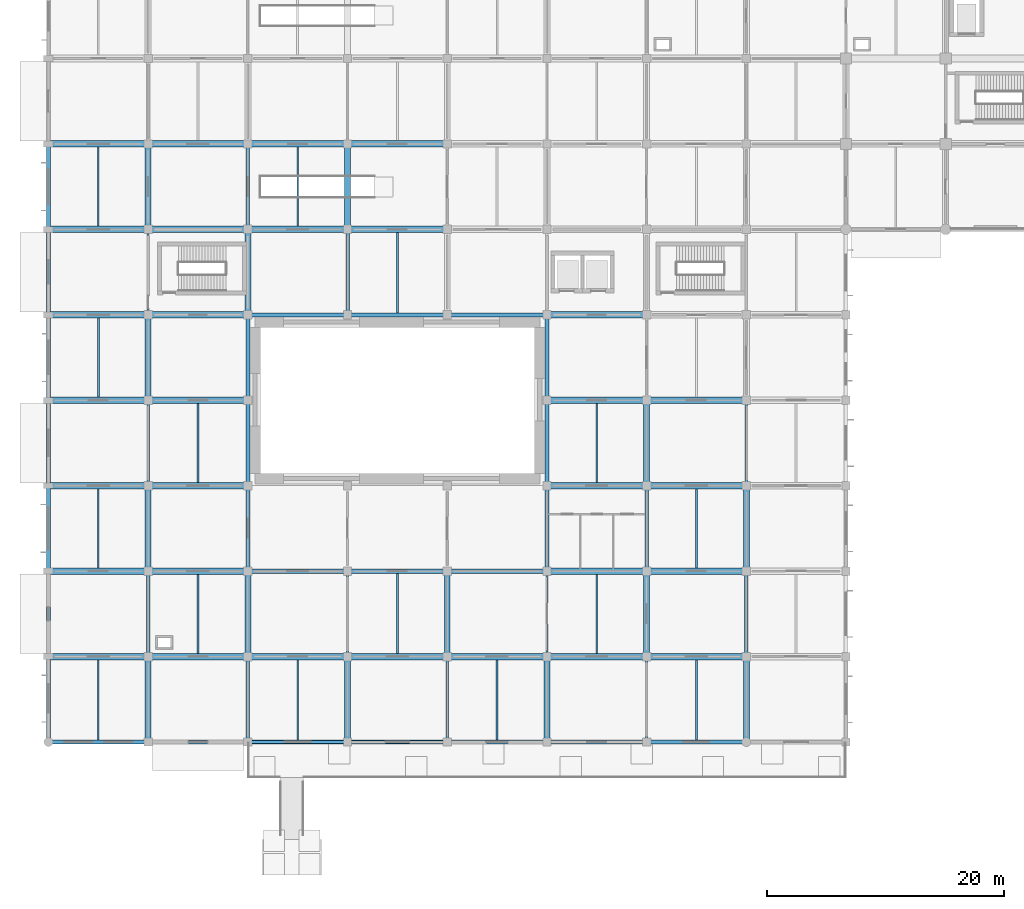
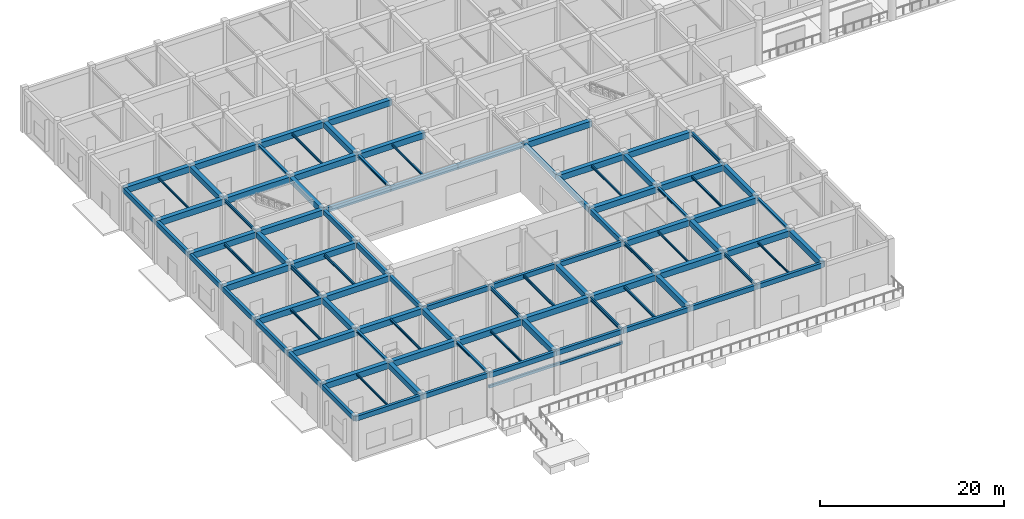
# One storey, part 3 of 39: 100 beams.
"""IFC4 building model written with IfcOpenShell, lengths in metres."""

from ifc_helpers import new_model, si_unit, derived_unit, direction, frame, origin, origin_2d, place, context, subcontext, project, spatial, rectangle, i_section, extrude, material, material_profile, profile_set, type_object, element, save


model = new_model("IFC4")

# Units and contexts
model_context = context("Model", 3, precision=1e-05, world=origin(), true_north=direction((0.0, 1.0)))
body_context = subcontext(model_context, "Body", "Model", "MODEL_VIEW")
ifc_project = project(units=[si_unit("LENGTHUNIT", "METRE"), si_unit("AREAUNIT", "SQUARE_METRE"), si_unit("VOLUMEUNIT", "CUBIC_METRE"), si_unit("PLANEANGLEUNIT", "RADIAN"), si_unit("MASSUNIT", "GRAM", prefix="KILO"), derived_unit("THERMALTRANSMITTANCEUNIT", [(si_unit("MASSUNIT", "GRAM", prefix="KILO"), 1), (si_unit("TIMEUNIT", "SECOND"), -3), (si_unit("THERMODYNAMICTEMPERATUREUNIT", "KELVIN"), -1)])], contexts=[model_context])

# Site, building, storey
site_placement = place(None, origin())
site = spatial("IfcSite", under=ifc_project, at=site_placement, CompositionType="ELEMENT")
building_placement = place(site_placement, origin())
building = spatial("IfcBuilding", under=site, at=building_placement, Name="Veldstrom Oceanarium and Marine Research Institute", CompositionType="ELEMENT")
storey_placement = place(building_placement, origin())
storey = spatial("IfcBuildingStorey", under=building, at=storey_placement, Name="L00", CompositionType="ELEMENT", Elevation=0.0)

# Beams
ifc_material_1 = material(Name="Concrete C40/50", Category="concrete")
ifc_material_profile_1 = material_profile(ifc_material_1, rectangle(XDim=0.550048828125, YDim=0.800048828125, at=origin_2d()), Name="RC-BM-550x800")
ifc_profile_set_1 = profile_set([ifc_material_profile_1], Name="Concrete C40/50")
beam_type_1 = type_object("IfcBeamType", Name="STR-BM-B02", PredefinedType="BEAM", material=ifc_profile_set_1)
for number, where, z_axis, x_axis, name in (
    (1, (0.0, 7.199951171875, 5.3701171875), (1.0, 0.0, 0.0), (0.0, 1.0, 0.0), "Primary Beam B02 L00-0716"),
    (2, (0.0, 14.39990234375, 5.27001953125), (1.0, 0.0, 0.0), (0.0, 1.0, 0.0), "Primary Beam B02 L00-0717"),
    (3, (0.0, 21.60009765625, 5.27001953125), (1.0, 0.0, 0.0), (0.0, 1.0, 0.0), "Primary Beam B02 L00-0718"),
    (4, (0.0, 28.800048828125, 5.27001953125), (1.0, 0.0, 0.0), (0.0, 1.0, 0.0), "Primary Beam B02 L00-0719"),
    (5, (0.0, 36.0, 5.27001953125), (1.0, 0.0, 0.0), (0.0, 1.0, 0.0), "Primary Beam B02 L00-0720"),
    (6, (0.0, 43.199951171875, 5.27001953125), (1.0, 0.0, 0.0), (0.0, 1.0, 0.0), "Primary Beam B02 L00-0721"),
    (7, (0.0, 50.39990234375, 5.27001953125), (1.0, 0.0, 0.0), (0.0, 1.0, 0.0), "Primary Beam B02 L00-0722"),
):
    element("IfcBeam", number, at=place(storey_placement, frame(where, z_axis=z_axis, x_axis=x_axis)), inside=storey, type_object=beam_type_1, Name=name, PredefinedType="BEAM", context=body_context, shape_type="SweptSolid", body=[
        extrude(rectangle(XDim=0.550048828125, YDim=0.800048828125, at=origin_2d()), origin(), (0.0, 0.0, 1.0), 8.39990234375),
    ])
for number, where, z_axis, x_axis, name in (
    (8, (8.39990234375, 7.199951171875, 5.3701171875), (1.0, 0.0, 0.0), (0.0, 1.0, 0.0), "Primary Beam B02 L00-0727"),
    (9, (8.39990234375, 14.39990234375, 5.27001953125), (1.0, 0.0, 0.0), (0.0, 1.0, 0.0), "Primary Beam B02 L00-0728"),
    (10, (8.39990234375, 21.60009765625, 5.27001953125), (1.0, 0.0, 0.0), (0.0, 1.0, 0.0), "Primary Beam B02 L00-0729"),
    (11, (8.39990234375, 28.800048828125, 5.27001953125), (1.0, 0.0, 0.0), (0.0, 1.0, 0.0), "Primary Beam B02 L00-0730"),
    (12, (8.39990234375, 36.0, 5.27001953125), (1.0, 0.0, 0.0), (0.0, 1.0, 0.0), "Primary Beam B02 L00-0731"),
    (13, (8.39990234375, 43.199951171875, 5.27001953125), (1.0, 0.0, 0.0), (0.0, 1.0, 0.0), "Primary Beam B02 L00-0732"),
    (14, (8.39990234375, 50.39990234375, 5.27001953125), (1.0, 0.0, 0.0), (0.0, 1.0, 0.0), "Primary Beam B02 L00-0733"),
):
    element("IfcBeam", number, at=place(storey_placement, frame(where, z_axis=z_axis, x_axis=x_axis)), inside=storey, type_object=beam_type_1, Name=name, PredefinedType="BEAM", context=body_context, shape_type="SweptSolid", body=[
        extrude(rectangle(XDim=0.550048828125, YDim=0.800048828125, at=origin_2d()), origin(), (0.0, 0.0, 1.0), 8.400146484375),
    ])
for number, where, z_axis, x_axis, name in (
    (15, (16.800048828125, 7.199951171875, 5.27001953125), (1.0, 0.0, 0.0), (0.0, 1.0, 0.0), "Primary Beam B02 L00-0738"),
    (16, (16.800048828125, 43.199951171875, 5.27001953125), (1.0, 0.0, 0.0), (0.0, 1.0, 0.0), "Primary Beam B02 L00-0741"),
    (17, (16.800048828125, 50.39990234375, 5.27001953125), (1.0, 0.0, 0.0), (0.0, 1.0, 0.0), "Primary Beam B02 L00-0742"),
):
    element("IfcBeam", number, at=place(storey_placement, frame(where, z_axis=z_axis, x_axis=x_axis)), inside=storey, type_object=beam_type_1, Name=name, PredefinedType="BEAM", context=body_context, shape_type="SweptSolid", body=[
        extrude(rectangle(XDim=0.550048828125, YDim=0.800048828125, at=origin_2d()), origin(), (0.0, 0.0, 1.0), 8.39990234375),
    ])
for number, where, z_axis, x_axis, name in (
    (18, (25.199951171875, 7.199951171875, 5.27001953125), (1.0, 0.0, 0.0), (0.0, 1.0, 0.0), "Primary Beam B02 L00-0747"),
    (19, (25.199951171875, 43.199951171875, 5.27001953125), (1.0, 0.0, 0.0), (0.0, 1.0, 0.0), "Primary Beam B02 L00-0750"),
    (20, (25.199951171875, 50.39990234375, 5.27001953125), (1.0, 0.0, 0.0), (0.0, 1.0, 0.0), "Primary Beam B02 L00-0751"),
):
    element("IfcBeam", number, at=place(storey_placement, frame(where, z_axis=z_axis, x_axis=x_axis)), inside=storey, type_object=beam_type_1, Name=name, PredefinedType="BEAM", context=body_context, shape_type="SweptSolid", body=[
        extrude(rectangle(XDim=0.550048828125, YDim=0.800048828125, at=origin_2d()), origin(), (0.0, 0.0, 1.0), 8.400146484375),
    ])
for number, where, z_axis, x_axis, name in (
    (21, (33.60009765625, 7.199951171875, 5.27001953125), (1.0, 0.0, 0.0), (0.0, 1.0, 0.0), "Primary Beam B02 L00-0756"),
    (22, (42.0, 7.199951171875, 5.27001953125), (1.0, 0.0, 0.0), (0.0, 1.0, 0.0), "Primary Beam B02 L00-0765"),
    (23, (42.0, 14.39990234375, 5.27001953125), (1.0, 0.0, 0.0), (0.0, 1.0, 0.0), "Primary Beam B02 L00-0766"),
    (24, (42.0, 21.60009765625, 5.27001953125), (1.0, 0.0, 0.0), (0.0, 1.0, 0.0), "Primary Beam B02 L00-0767"),
    (25, (42.0, 28.800048828125, 5.27001953125), (1.0, 0.0, 0.0), (0.0, 1.0, 0.0), "Primary Beam B02 L00-0768"),
    (26, (42.0, 36.0, 5.27001953125), (1.0, 0.0, 0.0), (0.0, 1.0, 0.0), "Primary Beam B02 L00-0769"),
):
    element("IfcBeam", number, at=place(storey_placement, frame(where, z_axis=z_axis, x_axis=x_axis)), inside=storey, type_object=beam_type_1, Name=name, PredefinedType="BEAM", context=body_context, shape_type="SweptSolid", body=[
        extrude(rectangle(XDim=0.550048828125, YDim=0.800048828125, at=origin_2d()), origin(), (0.0, 0.0, 1.0), 8.39990234375),
    ])
for number, where, z_axis, x_axis, name in (
    (27, (50.39990234375, 7.199951171875, 5.27001953125), (1.0, 0.0, 0.0), (0.0, 1.0, 0.0), "Primary Beam B02 L00-0776"),
    (28, (50.39990234375, 14.39990234375, 5.27001953125), (1.0, 0.0, 0.0), (0.0, 1.0, 0.0), "Primary Beam B02 L00-0777"),
    (29, (50.39990234375, 21.60009765625, 5.27001953125), (1.0, 0.0, 0.0), (0.0, 1.0, 0.0), "Primary Beam B02 L00-0778"),
    (30, (50.39990234375, 28.800048828125, 5.27001953125), (1.0, 0.0, 0.0), (0.0, 1.0, 0.0), "Primary Beam B02 L00-0779"),
):
    element("IfcBeam", number, at=place(storey_placement, frame(where, z_axis=z_axis, x_axis=x_axis)), inside=storey, type_object=beam_type_1, Name=name, PredefinedType="BEAM", context=body_context, shape_type="SweptSolid", body=[
        extrude(rectangle(XDim=0.550048828125, YDim=0.800048828125, at=origin_2d()), origin(), (0.0, 0.0, 1.0), 8.400146484375),
    ])
ifc_material_2 = material(Name="Concrete C40/50", Category="concrete")
ifc_material_profile_2 = material_profile(ifc_material_2, rectangle(XDim=0.5, YDim=0.75, at=origin_2d()), Name="RC-BM-500x750")
ifc_profile_set_2 = profile_set([ifc_material_profile_2], Name="Concrete C40/50")
beam_type_2 = type_object("IfcBeamType", Name="STR-BM-B03", PredefinedType="BEAM", material=ifc_profile_set_2)
beam_1_placement = place(storey_placement, frame((8.39990234375, 0.0, 5.39501953125), z_axis=(0.0, 1.0, 0.0), x_axis=(-1.0, 0.0, 0.0)))
element("IfcBeam", 31, at=beam_1_placement, inside=storey, type_object=beam_type_2, Name="Primary Beam B03 L00-0901", PredefinedType="BEAM", context=body_context, shape_type="SweptSolid", body=[
    extrude(rectangle(XDim=0.5, YDim=0.75, at=origin_2d()), origin(), (0.0, 0.0, 1.0), 7.199951171875),
])
beam_2_placement = place(storey_placement, frame((8.39990234375, 14.39990234375, 5.294921875), z_axis=(0.0, 1.0, 0.0), x_axis=(-1.0, 0.0, 0.0)))
element("IfcBeam", 32, at=beam_2_placement, inside=storey, type_object=beam_type_2, Name="Primary Beam B03 L00-0903", PredefinedType="BEAM", context=body_context, shape_type="SweptSolid", body=[
    extrude(rectangle(XDim=0.5, YDim=0.75, at=origin_2d()), origin(), (0.0, 0.0, 1.0), 7.2001953125),
])
for number, where, z_axis, x_axis, name in (
    (33, (8.39990234375, 28.800048828125, 5.294921875), (0.0, 1.0, 0.0), (-1.0, 0.0, 0.0), "Primary Beam B03 L00-0905"),
    (34, (8.39990234375, 43.199951171875, 5.294921875), (0.0, 1.0, 0.0), (-1.0, 0.0, 0.0), "Primary Beam B03 L00-0907"),
    (35, (16.800048828125, 7.199951171875, 5.294921875), (0.0, 1.0, 0.0), (-1.0, 0.0, 0.0), "Primary Beam B03 L00-0912"),
    (36, (16.800048828125, 36.0, 5.294921875), (0.0, 1.0, 0.0), (-1.0, 0.0, 0.0), "Primary Beam B03 L00-0916"),
    (37, (25.199951171875, 0.0, 5.294921875), (0.0, 1.0, 0.0), (-1.0, 0.0, 0.0), "Primary Beam B03 L00-0921"),
    (38, (25.199951171875, 43.199951171875, 5.294921875), (0.0, 1.0, 0.0), (-1.0, 0.0, 0.0), "Primary Beam B03 L00-0924"),
    (39, (33.60009765625, 7.199951171875, 5.294921875), (0.0, 1.0, 0.0), (-1.0, 0.0, 0.0), "Primary Beam B03 L00-0929"),
    (40, (42.0, 0.0, 5.294921875), (0.0, 1.0, 0.0), (-1.0, 0.0, 0.0), "Primary Beam B03 L00-0935"),
    (41, (50.39990234375, 7.199951171875, 5.294921875), (0.0, 1.0, 0.0), (-1.0, 0.0, 0.0), "Primary Beam B03 L00-0946"),
    (42, (50.39990234375, 21.60009765625, 5.294921875), (0.0, 1.0, 0.0), (-1.0, 0.0, 0.0), "Primary Beam B03 L00-0948"),
    (43, (58.800048828125, 0.0, 5.294921875), (0.0, 1.0, 0.0), (-1.0, 0.0, 0.0), "Primary Beam B03 L00-0955"),
):
    element("IfcBeam", number, at=place(storey_placement, frame(where, z_axis=z_axis, x_axis=x_axis)), inside=storey, type_object=beam_type_2, Name=name, PredefinedType="BEAM", context=body_context, shape_type="SweptSolid", body=[
        extrude(rectangle(XDim=0.5, YDim=0.75, at=origin_2d()), origin(), (0.0, 0.0, 1.0), 7.199951171875),
    ])
beam_3_placement = place(storey_placement, frame((58.800048828125, 14.39990234375, 5.294921875), z_axis=(0.0, 1.0, 0.0), x_axis=(-1.0, 0.0, 0.0)))
element("IfcBeam", 44, at=beam_3_placement, inside=storey, type_object=beam_type_2, Name="Primary Beam B03 L00-0957", PredefinedType="BEAM", context=body_context, shape_type="SweptSolid", body=[
    extrude(rectangle(XDim=0.5, YDim=0.75, at=origin_2d()), origin(), (0.0, 0.0, 1.0), 7.2001953125),
])
ifc_material_3 = material(Name="Steel S355JR", Category="steel")
ifc_material_profile_3 = material_profile(ifc_material_3, i_section(OverallWidth=0.300048828125, OverallDepth=0.2900390625, WebThickness=0.008544921875, FlangeThickness=0.013916015625, FilletRadius=0.027099609375, at=origin_2d()), Name="HEA 300")
ifc_profile_set_3 = profile_set([ifc_material_profile_3], Name="Steel S355JR")
beam_type_3 = type_object("IfcBeamType", Name="STR-BM-SB10", PredefinedType="BEAM", material=ifc_profile_set_3)
for number, where, z_axis, x_axis, name in (
    (45, (8.39990234375, 7.199951171875, 5.625), (0.0, 1.0, 0.0), (-1.0, 0.0, 0.0), "Steel Tie Beam SB10 L00-0902"),
    (46, (16.800048828125, 0.0, 5.52490234375), (0.0, 1.0, 0.0), (-1.0, 0.0, 0.0), "Steel Tie Beam SB10 L00-0911"),
    (47, (16.800048828125, 43.199951171875, 5.52490234375), (0.0, 1.0, 0.0), (-1.0, 0.0, 0.0), "Steel Tie Beam SB10 L00-0917"),
    (48, (25.199951171875, 36.0, 5.52490234375), (0.0, 1.0, 0.0), (-1.0, 0.0, 0.0), "Steel Tie Beam SB10 L00-0923"),
):
    element("IfcBeam", number, at=place(storey_placement, frame(where, z_axis=z_axis, x_axis=x_axis)), inside=storey, type_object=beam_type_3, Name=name, PredefinedType="BEAM", context=body_context, shape_type="SweptSolid", body=[
        extrude(i_section(OverallWidth=0.300048828125, OverallDepth=0.2900390625, WebThickness=0.008544921875, FlangeThickness=0.013916015625, FilletRadius=0.027099609375, at=origin_2d()), origin(), (0.0, 0.0, 1.0), 7.199951171875),
    ])
beam_4_placement = place(storey_placement, frame((50.39990234375, 14.39990234375, 5.52490234375), z_axis=(0.0, 1.0, 0.0), x_axis=(-1.0, 0.0, 0.0)))
element("IfcBeam", 49, at=beam_4_placement, inside=storey, type_object=beam_type_3, Name="Steel Tie Beam SB10 L00-0947", PredefinedType="BEAM", context=body_context, shape_type="SweptSolid", body=[
    extrude(i_section(OverallWidth=0.300048828125, OverallDepth=0.2900390625, WebThickness=0.008544921875, FlangeThickness=0.013916015625, FilletRadius=0.027099609375, at=origin_2d()), origin(), (0.0, 0.0, 1.0), 7.2001953125),
])
beam_5_placement = place(storey_placement, frame((58.800048828125, 7.199951171875, 5.52490234375), z_axis=(0.0, 1.0, 0.0), x_axis=(-1.0, 0.0, 0.0)))
element("IfcBeam", 50, at=beam_5_placement, inside=storey, type_object=beam_type_3, Name="Steel Tie Beam SB10 L00-0956", PredefinedType="BEAM", context=body_context, shape_type="SweptSolid", body=[
    extrude(i_section(OverallWidth=0.300048828125, OverallDepth=0.2900390625, WebThickness=0.008544921875, FlangeThickness=0.013916015625, FilletRadius=0.027099609375, at=origin_2d()), origin(), (0.0, 0.0, 1.0), 7.199951171875),
])
ifc_material_4 = material(Name="Steel S355JR", Category="steel")
ifc_material_profile_4 = material_profile(ifc_material_4, i_section(OverallWidth=0.199951171875, OverallDepth=0.5, WebThickness=0.01025390625, FlangeThickness=0.01611328125, FilletRadius=0.02099609375, at=origin_2d()), Name="IPE 500")
ifc_profile_set_4 = profile_set([ifc_material_profile_4], Name="Steel S355JR")
beam_type_4 = type_object("IfcBeamType", Name="STR-BM-SB6", PredefinedType="BEAM", material=ifc_profile_set_4)
for number, where, z_axis, x_axis, name in (
    (51, (8.39990234375, 21.60009765625, 5.419921875), (0.0, 1.0, 0.0), (-1.0, 0.0, 0.0), "Steel Tie Beam SB6 L00-0904"),
    (52, (25.199951171875, 7.199951171875, 5.419921875), (0.0, 1.0, 0.0), (-1.0, 0.0, 0.0), "Steel Tie Beam SB6 L00-0922"),
    (53, (33.60009765625, 0.0, 5.419921875), (0.0, 1.0, 0.0), (-1.0, 0.0, 0.0), "Steel Tie Beam SB6 L00-0928"),
    (54, (58.800048828125, 21.60009765625, 5.419921875), (0.0, 1.0, 0.0), (-1.0, 0.0, 0.0), "Steel Tie Beam SB6 L00-0958"),
):
    element("IfcBeam", number, at=place(storey_placement, frame(where, z_axis=z_axis, x_axis=x_axis)), inside=storey, type_object=beam_type_4, Name=name, PredefinedType="BEAM", context=body_context, shape_type="SweptSolid", body=[
        extrude(i_section(OverallWidth=0.199951171875, OverallDepth=0.5, WebThickness=0.01025390625, FlangeThickness=0.01611328125, FilletRadius=0.02099609375, at=origin_2d()), origin(), (0.0, 0.0, 1.0), 7.199951171875),
    ])
ifc_material_5 = material(Name="Steel S355JR", Category="steel")
ifc_material_profile_5 = material_profile(ifc_material_5, i_section(OverallWidth=0.179931640625, OverallDepth=0.39990234375, WebThickness=0.008544921875, FlangeThickness=0.013427734375, FilletRadius=0.02099609375, at=origin_2d()), Name="IPE 400")
ifc_profile_set_5 = profile_set([ifc_material_profile_5], Name="Steel S355JR")
beam_type_5 = type_object("IfcBeamType", Name="STR-BM-SB8", PredefinedType="BEAM", material=ifc_profile_set_5)
for number, where, z_axis, x_axis, name in (
    (55, (8.39990234375, 36.0, 5.469970703125), (0.0, 1.0, 0.0), (-1.0, 0.0, 0.0), "Steel Tie Beam SB8 L00-0906"),
    (56, (42.0, 7.199951171875, 5.469970703125), (0.0, 1.0, 0.0), (-1.0, 0.0, 0.0), "Steel Tie Beam SB8 L00-0936"),
    (57, (50.39990234375, 0.0, 5.469970703125), (0.0, 1.0, 0.0), (-1.0, 0.0, 0.0), "Steel Tie Beam SB8 L00-0945"),
):
    element("IfcBeam", number, at=place(storey_placement, frame(where, z_axis=z_axis, x_axis=x_axis)), inside=storey, type_object=beam_type_5, Name=name, PredefinedType="BEAM", context=body_context, shape_type="SweptSolid", body=[
        extrude(i_section(OverallWidth=0.179931640625, OverallDepth=0.39990234375, WebThickness=0.008544921875, FlangeThickness=0.013427734375, FilletRadius=0.02099609375, at=origin_2d()), origin(), (0.0, 0.0, 1.0), 7.199951171875),
    ])
ifc_material_6 = material(Name="Steel S355JR", Category="steel")
ifc_material_profile_6 = material_profile(ifc_material_6, i_section(OverallWidth=0.169921875, OverallDepth=0.360107421875, WebThickness=0.008056640625, FlangeThickness=0.0126953125, FilletRadius=0.01806640625, at=origin_2d()), Name="IPE 360")
ifc_profile_set_6 = profile_set([ifc_material_profile_6], Name="Steel S355JR")
beam_type_6 = type_object("IfcBeamType", Name="STR-JST-SJ1", PredefinedType="JOIST", material=ifc_profile_set_6)
beam_6_placement = place(storey_placement, frame((4.199951171875, 29.074951171875, 5.489990234375), z_axis=(0.0, 1.0, 0.0), x_axis=(-1.0, 0.0, 0.0)))
element("IfcBeam", 58, at=beam_6_placement, inside=storey, type_object=beam_type_6, Name="Secondary Joist SJ1 L00-1065", PredefinedType="JOIST", context=body_context, shape_type="SweptSolid", body=[
    extrude(i_section(OverallWidth=0.169921875, OverallDepth=0.360107421875, WebThickness=0.008056640625, FlangeThickness=0.0126953125, FilletRadius=0.01806640625, at=origin_2d()), origin(), (0.0, 0.0, 1.0), 6.650146484375),
])
beam_7_placement = place(storey_placement, frame((12.60009765625, 21.875, 5.489990234375), z_axis=(0.0, 1.0, 0.0), x_axis=(-1.0, 0.0, 0.0)))
element("IfcBeam", 59, at=beam_7_placement, inside=storey, type_object=beam_type_6, Name="Secondary Joist SJ1 L00-1069", PredefinedType="JOIST", context=body_context, shape_type="SweptSolid", body=[
    extrude(i_section(OverallWidth=0.169921875, OverallDepth=0.360107421875, WebThickness=0.008056640625, FlangeThickness=0.0126953125, FilletRadius=0.01806640625, at=origin_2d()), origin(), (0.0, 0.0, 1.0), 6.64990234375),
])
for number, where, z_axis, x_axis, name in (
    (60, (29.39990234375, 7.47509765625, 5.489990234375), (0.0, 1.0, 0.0), (-1.0, 0.0, 0.0), "Secondary Joist SJ1 L00-1075"),
    (61, (37.800048828125, 0.175048828125, 5.489990234375), (0.0, 1.0, 0.0), (-1.0, 0.0, 0.0), "Secondary Joist SJ1 L00-1079"),
):
    element("IfcBeam", number, at=place(storey_placement, frame(where, z_axis=z_axis, x_axis=x_axis)), inside=storey, type_object=beam_type_6, Name=name, PredefinedType="JOIST", context=body_context, shape_type="SweptSolid", body=[
        extrude(i_section(OverallWidth=0.169921875, OverallDepth=0.360107421875, WebThickness=0.008056640625, FlangeThickness=0.0126953125, FilletRadius=0.01806640625, at=origin_2d()), origin(), (0.0, 0.0, 1.0), 6.75),
    ])
ifc_material_7 = material(Name="Steel S355JR", Category="steel")
ifc_material_profile_7 = material_profile(ifc_material_7, i_section(OverallWidth=0.14990234375, OverallDepth=0.300048828125, WebThickness=0.007080078125, FlangeThickness=0.0107421875, FilletRadius=0.014892578125, at=origin_2d()), Name="IPE 300")
ifc_profile_set_7 = profile_set([ifc_material_profile_7], Name="Steel S355JR")
beam_type_7 = type_object("IfcBeamType", Name="STR-JST-SJ2", PredefinedType="JOIST", material=ifc_profile_set_7)
for number, where, z_axis, x_axis, name in (
    (62, (4.199951171875, 14.675048828125, 5.52001953125), (0.0, 1.0, 0.0), (-1.0, 0.0, 0.0), "Secondary Joist SJ2 L00-1064"),
    (63, (12.60009765625, 7.47509765625, 5.6201171875), (0.0, 1.0, 0.0), (-1.0, 0.0, 0.0), "Secondary Joist SJ2 L00-1068"),
):
    element("IfcBeam", number, at=place(storey_placement, frame(where, z_axis=z_axis, x_axis=x_axis)), inside=storey, type_object=beam_type_7, Name=name, PredefinedType="JOIST", context=body_context, shape_type="SweptSolid", body=[
        extrude(i_section(OverallWidth=0.14990234375, OverallDepth=0.300048828125, WebThickness=0.007080078125, FlangeThickness=0.0107421875, FilletRadius=0.014892578125, at=origin_2d()), origin(), (0.0, 0.0, 1.0), 6.64990234375),
    ])
beam_8_placement = place(storey_placement, frame((21.0, 0.175048828125, 5.52001953125), z_axis=(0.0, 1.0, 0.0), x_axis=(-1.0, 0.0, 0.0)))
element("IfcBeam", 64, at=beam_8_placement, inside=storey, type_object=beam_type_7, Name="Secondary Joist SJ2 L00-1072", PredefinedType="JOIST", context=body_context, shape_type="SweptSolid", body=[
    extrude(i_section(OverallWidth=0.14990234375, OverallDepth=0.300048828125, WebThickness=0.007080078125, FlangeThickness=0.0107421875, FilletRadius=0.014892578125, at=origin_2d()), origin(), (0.0, 0.0, 1.0), 6.75),
])
beam_9_placement = place(storey_placement, frame((21.0, 43.47509765625, 5.52001953125), z_axis=(0.0, 1.0, 0.0), x_axis=(-1.0, 0.0, 0.0)))
element("IfcBeam", 65, at=beam_9_placement, inside=storey, type_object=beam_type_7, Name="Secondary Joist SJ2 L00-1073", PredefinedType="JOIST", context=body_context, shape_type="SweptSolid", body=[
    extrude(i_section(OverallWidth=0.14990234375, OverallDepth=0.300048828125, WebThickness=0.007080078125, FlangeThickness=0.0107421875, FilletRadius=0.014892578125, at=origin_2d()), origin(), (0.0, 0.0, 1.0), 6.64990234375),
])
beam_10_placement = place(storey_placement, frame((29.39990234375, 36.175048828125, 5.52001953125), z_axis=(0.0, 1.0, 0.0), x_axis=(-1.0, 0.0, 0.0)))
element("IfcBeam", 66, at=beam_10_placement, inside=storey, type_object=beam_type_7, Name="Secondary Joist SJ2 L00-1076", PredefinedType="JOIST", context=body_context, shape_type="SweptSolid", body=[
    extrude(i_section(OverallWidth=0.14990234375, OverallDepth=0.300048828125, WebThickness=0.007080078125, FlangeThickness=0.0107421875, FilletRadius=0.014892578125, at=origin_2d()), origin(), (0.0, 0.0, 1.0), 6.75),
])
for number, where, z_axis, x_axis, name in (
    (67, (46.199951171875, 21.875, 5.52001953125), (0.0, 1.0, 0.0), (-1.0, 0.0, 0.0), "Secondary Joist SJ2 L00-1083"),
    (68, (54.60009765625, 14.675048828125, 5.52001953125), (0.0, 1.0, 0.0), (-1.0, 0.0, 0.0), "Secondary Joist SJ2 L00-1087"),
):
    element("IfcBeam", number, at=place(storey_placement, frame(where, z_axis=z_axis, x_axis=x_axis)), inside=storey, type_object=beam_type_7, Name=name, PredefinedType="JOIST", context=body_context, shape_type="SweptSolid", body=[
        extrude(i_section(OverallWidth=0.14990234375, OverallDepth=0.300048828125, WebThickness=0.007080078125, FlangeThickness=0.0107421875, FilletRadius=0.014892578125, at=origin_2d()), origin(), (0.0, 0.0, 1.0), 6.64990234375),
    ])
ifc_material_8 = material(Name="Steel S355JR", Category="steel")
ifc_material_profile_8 = material_profile(ifc_material_8, i_section(OverallWidth=0.135009765625, OverallDepth=0.27001953125, WebThickness=0.006591796875, FlangeThickness=0.01025390625, FilletRadius=0.014892578125, at=origin_2d()), Name="IPE 270")
ifc_profile_set_8 = profile_set([ifc_material_profile_8], Name="Steel S355JR")
beam_type_8 = type_object("IfcBeamType", Name="STR-JST-SJ3", PredefinedType="JOIST", material=ifc_profile_set_8)
beam_11_placement = place(storey_placement, frame((4.199951171875, 0.175048828125, 5.635009765625), z_axis=(0.0, 1.0, 0.0), x_axis=(-1.0, 0.0, 0.0)))
element("IfcBeam", 69, at=beam_11_placement, inside=storey, type_object=beam_type_8, Name="Secondary Joist SJ3 L00-1063", PredefinedType="JOIST", context=body_context, shape_type="SweptSolid", body=[
    extrude(i_section(OverallWidth=0.135009765625, OverallDepth=0.27001953125, WebThickness=0.006591796875, FlangeThickness=0.01025390625, FilletRadius=0.014892578125, at=origin_2d()), origin(), (0.0, 0.0, 1.0), 6.75),
])
for number, where, z_axis, x_axis, name in (
    (70, (4.199951171875, 43.47509765625, 5.534912109375), (0.0, 1.0, 0.0), (-1.0, 0.0, 0.0), "Secondary Joist SJ3 L00-1066"),
    (71, (46.199951171875, 7.47509765625, 5.534912109375), (0.0, 1.0, 0.0), (-1.0, 0.0, 0.0), "Secondary Joist SJ3 L00-1082"),
):
    element("IfcBeam", number, at=place(storey_placement, frame(where, z_axis=z_axis, x_axis=x_axis)), inside=storey, type_object=beam_type_8, Name=name, PredefinedType="JOIST", context=body_context, shape_type="SweptSolid", body=[
        extrude(i_section(OverallWidth=0.135009765625, OverallDepth=0.27001953125, WebThickness=0.006591796875, FlangeThickness=0.01025390625, FilletRadius=0.014892578125, at=origin_2d()), origin(), (0.0, 0.0, 1.0), 6.64990234375),
    ])
beam_12_placement = place(storey_placement, frame((54.60009765625, 0.175048828125, 5.534912109375), z_axis=(0.0, 1.0, 0.0), x_axis=(-1.0, 0.0, 0.0)))
element("IfcBeam", 72, at=beam_12_placement, inside=storey, type_object=beam_type_8, Name="Secondary Joist SJ3 L00-1086", PredefinedType="JOIST", context=body_context, shape_type="SweptSolid", body=[
    extrude(i_section(OverallWidth=0.135009765625, OverallDepth=0.27001953125, WebThickness=0.006591796875, FlangeThickness=0.01025390625, FilletRadius=0.014892578125, at=origin_2d()), origin(), (0.0, 0.0, 1.0), 6.75),
])
ifc_material_9 = material(Name="Concrete C40/50", Category="concrete")
ifc_material_profile_9 = material_profile(ifc_material_9, rectangle(XDim=0.25, YDim=0.35009765625, at=origin_2d()), Name="RC-LNT-250x350")
ifc_profile_set_9 = profile_set([ifc_material_profile_9], Name="Concrete C40/50")
beam_type_9 = type_object("IfcBeamType", Name="STR-LNT-LN2", PredefinedType="LINTEL", material=ifc_profile_set_9)
beam_13_placement = place(storey_placement, frame((16.800048828125, 0.0, 3.800048828125), z_axis=(1.0, 0.0, 0.0), x_axis=(0.0, 1.0, 0.0)))
element("IfcBeam", 73, at=beam_13_placement, inside=storey, type_object=beam_type_9, Name="Portal Lintel LN2-03", PredefinedType="LINTEL", context=body_context, shape_type="SweptSolid", body=[
    extrude(rectangle(XDim=0.25, YDim=0.35009765625, at=origin_2d()), origin(), (0.0, 0.0, 1.0), 8.39990234375),
])
beam_14_placement = place(storey_placement, frame((25.199951171875, 0.0, 3.800048828125), z_axis=(1.0, 0.0, 0.0), x_axis=(0.0, 1.0, 0.0)))
element("IfcBeam", 74, at=beam_14_placement, inside=storey, type_object=beam_type_9, Name="Portal Lintel LN2-04", PredefinedType="LINTEL", context=body_context, shape_type="SweptSolid", body=[
    extrude(rectangle(XDim=0.25, YDim=0.35009765625, at=origin_2d()), origin(), (0.0, 0.0, 1.0), 8.400146484375),
])
ifc_material_10 = material(Name="Concrete C40/50", Category="concrete")
ifc_material_profile_10 = material_profile(ifc_material_10, rectangle(XDim=0.35009765625, YDim=0.64990234375, at=origin_2d()), Name="RC-SPN-350x650")
ifc_profile_set_10 = profile_set([ifc_material_profile_10], Name="Concrete C40/50")
beam_type_10 = type_object("IfcBeamType", Name="STR-SPN-SP1", PredefinedType="SPANDREL", material=ifc_profile_set_10)
beam_15_placement = place(storey_placement, frame((0.0, 0.0, 5.445068359375), z_axis=(1.0, 0.0, 0.0), x_axis=(0.0, 1.0, 0.0)))
element("IfcBeam", 75, at=beam_15_placement, inside=storey, type_object=beam_type_10, Name="Perimeter Spandrel SPB1 L00-0715", PredefinedType="SPANDREL", context=body_context, shape_type="SweptSolid", body=[
    extrude(rectangle(XDim=0.35009765625, YDim=0.64990234375, at=origin_2d()), origin(), (0.0, 0.0, 1.0), 8.39990234375),
])
beam_16_placement = place(storey_placement, frame((8.39990234375, 0.0, 5.445068359375), z_axis=(1.0, 0.0, 0.0), x_axis=(0.0, 1.0, 0.0)))
element("IfcBeam", 76, at=beam_16_placement, inside=storey, type_object=beam_type_10, Name="Perimeter Spandrel SPB1 L00-0726", PredefinedType="SPANDREL", context=body_context, shape_type="SweptSolid", body=[
    extrude(rectangle(XDim=0.35009765625, YDim=0.64990234375, at=origin_2d()), origin(), (0.0, 0.0, 1.0), 8.400146484375),
])
for number, where, z_axis, x_axis, name in (
    (77, (16.800048828125, 0.0, 5.344970703125), (1.0, 0.0, 0.0), (0.0, 1.0, 0.0), "Perimeter Spandrel SPB1 L00-0737"),
    (78, (16.800048828125, 14.39990234375, 5.344970703125), (1.0, 0.0, 0.0), (0.0, 1.0, 0.0), "Perimeter Spandrel SPB1 L00-0739"),
    (79, (16.800048828125, 36.0, 5.344970703125), (1.0, 0.0, 0.0), (0.0, 1.0, 0.0), "Perimeter Spandrel SPB1 L00-0740"),
):
    element("IfcBeam", number, at=place(storey_placement, frame(where, z_axis=z_axis, x_axis=x_axis)), inside=storey, type_object=beam_type_10, Name=name, PredefinedType="SPANDREL", context=body_context, shape_type="SweptSolid", body=[
        extrude(rectangle(XDim=0.35009765625, YDim=0.64990234375, at=origin_2d()), origin(), (0.0, 0.0, 1.0), 8.39990234375),
    ])
for number, where, z_axis, x_axis, name in (
    (80, (25.199951171875, 0.0, 5.344970703125), (1.0, 0.0, 0.0), (0.0, 1.0, 0.0), "Perimeter Spandrel SPB1 L00-0746"),
    (81, (25.199951171875, 14.39990234375, 5.344970703125), (1.0, 0.0, 0.0), (0.0, 1.0, 0.0), "Perimeter Spandrel SPB1 L00-0748"),
    (82, (25.199951171875, 36.0, 5.344970703125), (1.0, 0.0, 0.0), (0.0, 1.0, 0.0), "Perimeter Spandrel SPB1 L00-0749"),
):
    element("IfcBeam", number, at=place(storey_placement, frame(where, z_axis=z_axis, x_axis=x_axis)), inside=storey, type_object=beam_type_10, Name=name, PredefinedType="SPANDREL", context=body_context, shape_type="SweptSolid", body=[
        extrude(rectangle(XDim=0.35009765625, YDim=0.64990234375, at=origin_2d()), origin(), (0.0, 0.0, 1.0), 8.400146484375),
    ])
for number, where, z_axis, x_axis, name in (
    (83, (33.60009765625, 0.0, 5.344970703125), (1.0, 0.0, 0.0), (0.0, 1.0, 0.0), "Perimeter Spandrel SPB1 L00-0755"),
    (84, (33.60009765625, 14.39990234375, 5.344970703125), (1.0, 0.0, 0.0), (0.0, 1.0, 0.0), "Perimeter Spandrel SPB1 L00-0757"),
    (85, (33.60009765625, 36.0, 5.344970703125), (1.0, 0.0, 0.0), (0.0, 1.0, 0.0), "Perimeter Spandrel SPB1 L00-0758"),
    (86, (42.0, 0.0, 5.344970703125), (1.0, 0.0, 0.0), (0.0, 1.0, 0.0), "Perimeter Spandrel SPB1 L00-0764"),
):
    element("IfcBeam", number, at=place(storey_placement, frame(where, z_axis=z_axis, x_axis=x_axis)), inside=storey, type_object=beam_type_10, Name=name, PredefinedType="SPANDREL", context=body_context, shape_type="SweptSolid", body=[
        extrude(rectangle(XDim=0.35009765625, YDim=0.64990234375, at=origin_2d()), origin(), (0.0, 0.0, 1.0), 8.39990234375),
    ])
beam_17_placement = place(storey_placement, frame((50.39990234375, 0.0, 5.344970703125), z_axis=(1.0, 0.0, 0.0), x_axis=(0.0, 1.0, 0.0)))
element("IfcBeam", 87, at=beam_17_placement, inside=storey, type_object=beam_type_10, Name="Perimeter Spandrel SPB1 L00-0775", PredefinedType="SPANDREL", context=body_context, shape_type="SweptSolid", body=[
    extrude(rectangle(XDim=0.35009765625, YDim=0.64990234375, at=origin_2d()), origin(), (0.0, 0.0, 1.0), 8.400146484375),
])
for number, where, z_axis, x_axis, name in (
    (88, (0.0, 0.0, 5.445068359375), (0.0, 1.0, 0.0), (-1.0, 0.0, 0.0), "Perimeter Spandrel SPB1 L00-0891"),
    (89, (0.0, 7.199951171875, 5.445068359375), (0.0, 1.0, 0.0), (-1.0, 0.0, 0.0), "Perimeter Spandrel SPB1 L00-0892"),
):
    element("IfcBeam", number, at=place(storey_placement, frame(where, z_axis=z_axis, x_axis=x_axis)), inside=storey, type_object=beam_type_10, Name=name, PredefinedType="SPANDREL", context=body_context, shape_type="SweptSolid", body=[
        extrude(rectangle(XDim=0.35009765625, YDim=0.64990234375, at=origin_2d()), origin(), (0.0, 0.0, 1.0), 7.199951171875),
    ])
beam_18_placement = place(storey_placement, frame((0.0, 14.39990234375, 5.344970703125), z_axis=(0.0, 1.0, 0.0), x_axis=(-1.0, 0.0, 0.0)))
element("IfcBeam", 90, at=beam_18_placement, inside=storey, type_object=beam_type_10, Name="Perimeter Spandrel SPB1 L00-0893", PredefinedType="SPANDREL", context=body_context, shape_type="SweptSolid", body=[
    extrude(rectangle(XDim=0.35009765625, YDim=0.64990234375, at=origin_2d()), origin(), (0.0, 0.0, 1.0), 7.2001953125),
])
for number, where, z_axis, x_axis, name in (
    (91, (0.0, 21.60009765625, 5.344970703125), (0.0, 1.0, 0.0), (-1.0, 0.0, 0.0), "Perimeter Spandrel SPB1 L00-0894"),
    (92, (0.0, 28.800048828125, 5.344970703125), (0.0, 1.0, 0.0), (-1.0, 0.0, 0.0), "Perimeter Spandrel SPB1 L00-0895"),
    (93, (0.0, 36.0, 5.344970703125), (0.0, 1.0, 0.0), (-1.0, 0.0, 0.0), "Perimeter Spandrel SPB1 L00-0896"),
    (94, (0.0, 43.199951171875, 5.344970703125), (0.0, 1.0, 0.0), (-1.0, 0.0, 0.0), "Perimeter Spandrel SPB1 L00-0897"),
):
    element("IfcBeam", number, at=place(storey_placement, frame(where, z_axis=z_axis, x_axis=x_axis)), inside=storey, type_object=beam_type_10, Name=name, PredefinedType="SPANDREL", context=body_context, shape_type="SweptSolid", body=[
        extrude(rectangle(XDim=0.35009765625, YDim=0.64990234375, at=origin_2d()), origin(), (0.0, 0.0, 1.0), 7.199951171875),
    ])
beam_19_placement = place(storey_placement, frame((16.800048828125, 14.39990234375, 5.344970703125), z_axis=(0.0, 1.0, 0.0), x_axis=(-1.0, 0.0, 0.0)))
element("IfcBeam", 95, at=beam_19_placement, inside=storey, type_object=beam_type_10, Name="Perimeter Spandrel SPB1 L00-0913", PredefinedType="SPANDREL", context=body_context, shape_type="SweptSolid", body=[
    extrude(rectangle(XDim=0.35009765625, YDim=0.64990234375, at=origin_2d()), origin(), (0.0, 0.0, 1.0), 7.2001953125),
])
for number, where, z_axis, x_axis, name in (
    (96, (16.800048828125, 21.60009765625, 5.344970703125), (0.0, 1.0, 0.0), (-1.0, 0.0, 0.0), "Perimeter Spandrel SPB1 L00-0914"),
    (97, (16.800048828125, 28.800048828125, 5.344970703125), (0.0, 1.0, 0.0), (-1.0, 0.0, 0.0), "Perimeter Spandrel SPB1 L00-0915"),
):
    element("IfcBeam", number, at=place(storey_placement, frame(where, z_axis=z_axis, x_axis=x_axis)), inside=storey, type_object=beam_type_10, Name=name, PredefinedType="SPANDREL", context=body_context, shape_type="SweptSolid", body=[
        extrude(rectangle(XDim=0.35009765625, YDim=0.64990234375, at=origin_2d()), origin(), (0.0, 0.0, 1.0), 7.199951171875),
    ])
beam_20_placement = place(storey_placement, frame((42.0, 14.39990234375, 5.344970703125), z_axis=(0.0, 1.0, 0.0), x_axis=(-1.0, 0.0, 0.0)))
element("IfcBeam", 98, at=beam_20_placement, inside=storey, type_object=beam_type_10, Name="Perimeter Spandrel SPB1 L00-0937", PredefinedType="SPANDREL", context=body_context, shape_type="SweptSolid", body=[
    extrude(rectangle(XDim=0.35009765625, YDim=0.64990234375, at=origin_2d()), origin(), (0.0, 0.0, 1.0), 7.2001953125),
])
for number, where, z_axis, x_axis, name in (
    (99, (42.0, 21.60009765625, 5.344970703125), (0.0, 1.0, 0.0), (-1.0, 0.0, 0.0), "Perimeter Spandrel SPB1 L00-0938"),
    (100, (42.0, 28.800048828125, 5.344970703125), (0.0, 1.0, 0.0), (-1.0, 0.0, 0.0), "Perimeter Spandrel SPB1 L00-0939"),
):
    element("IfcBeam", number, at=place(storey_placement, frame(where, z_axis=z_axis, x_axis=x_axis)), inside=storey, type_object=beam_type_10, Name=name, PredefinedType="SPANDREL", context=body_context, shape_type="SweptSolid", body=[
        extrude(rectangle(XDim=0.35009765625, YDim=0.64990234375, at=origin_2d()), origin(), (0.0, 0.0, 1.0), 7.199951171875),
    ])

save(model, "model.ifc")
